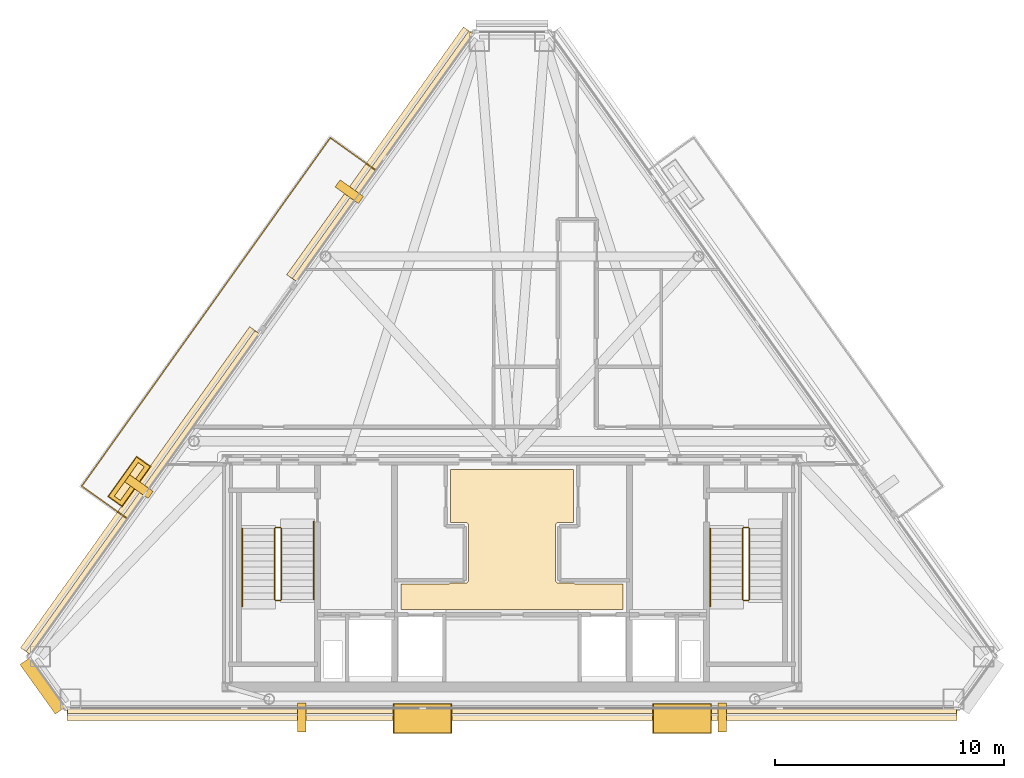
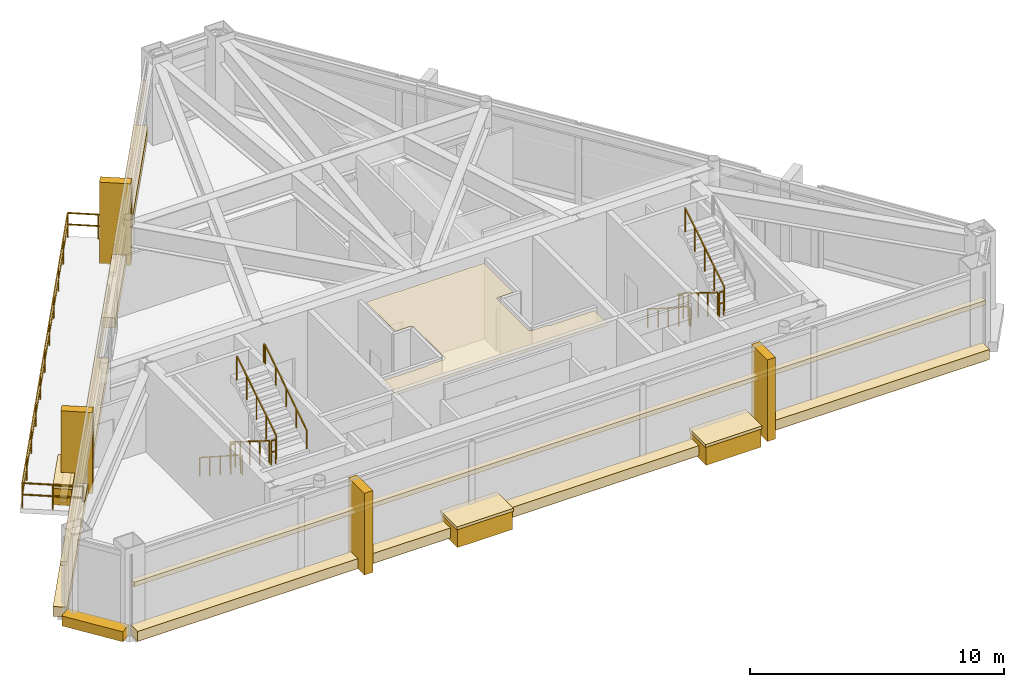
# One storey, part 6 of 7: 19 coverings, 12 railings.
"""IFC4 building model written with IfcOpenShell, lengths in metres."""

from ifc_helpers import new_model, si_unit, direction, frame, origin, origin_2d, place, context, subcontext, project, spatial, polyline, rectangle, outline, extrude, material, layer, layer_set, type_object, element, save


model = new_model("IFC4")

# Units and contexts
model_context = context("Model", 3, precision=1e-05, world=origin(), true_north=direction((0.0, 1.0)))
body_context = subcontext(model_context, "Body", "Model", "MODEL_VIEW")
ifc_project = project(units=[si_unit("LENGTHUNIT", "METRE"), si_unit("AREAUNIT", "SQUARE_METRE"), si_unit("VOLUMEUNIT", "CUBIC_METRE"), si_unit("PLANEANGLEUNIT", "RADIAN"), si_unit("MASSUNIT", "GRAM", prefix="KILO")], contexts=[model_context])

# Site, building, storey
site_placement = place(None, origin())
site = spatial("IfcSite", under=ifc_project, at=site_placement, CompositionType="ELEMENT")
building_placement = place(site_placement, origin())
building = spatial("IfcBuilding", under=site, at=building_placement, Name="Talgorran Terracotta Tower", CompositionType="ELEMENT")
storey_placement = place(building_placement, frame((0.0, 0.0, 293.39990234375)))
storey = spatial("IfcBuildingStorey", under=building, at=storey_placement, Name="L77", CompositionType="ELEMENT", Elevation=293.39990234375)

# Coverings
ifc_material_1 = material(Name="Kiln-Fired Terracotta Ochre Ceramic", Category="masonry")
ifc_layer_1 = layer(ifc_material_1, 0.179931640625, Name="COV_BAGUETTE_TERRACOTTA_SCREEN")
ifc_layer_set_1 = layer_set([ifc_layer_1], Name="Kiln-Fired Terracotta Ochre Ceramic")
covering_type_1 = type_object("IfcCoveringType", Name="COV_BAGUETTE_TERRACOTTA_SCREEN", PredefinedType="CLADDING", material=ifc_layer_set_1)
covering_1_placement = place(storey_placement, frame((0.0, -15.1298828125, 2.41015625), z_axis=(0.0, 0.0, 1.0), x_axis=(1.0, 0.0, 0.0)))
element("IfcCovering", 1, at=covering_1_placement, inside=storey, type_object=covering_type_1, Name="L77 Terracotta Baguette Solar Screen Assembly F1", PredefinedType="CLADDING", context=body_context, shape_type="SweptSolid", body=[
    extrude(rectangle(XDim=38.758056640625, YDim=0.260009765625, at=origin_2d()), origin(), (0.0, 0.0, 1.0), 0.219970703125),
])
covering_2_placement = place(storey_placement, frame((-5.626220703125, 9.029296875, 2.41015625), z_axis=(0.0, 0.0, 1.0), x_axis=(-0.580759790281, -0.814074975658, 0.0)))
element("IfcCovering", 2, at=covering_2_placement, inside=storey, type_object=covering_type_1, Name="L77 Terracotta Baguette Solar Screen Assembly F60", PredefinedType="CLADDING", context=body_context, shape_type="SweptSolid", body=[
    extrude(rectangle(XDim=13.251708984375, YDim=0.260009765625, at=origin_2d()), origin(), (0.0, 0.0, 1.0), 0.219970703125),
])
covering_3_placement = place(storey_placement, frame((-16.087890625, -5.635498046875, 2.41015625), z_axis=(0.0, 0.0, 1.0), x_axis=(-0.580759790281, -0.814074975658, 0.0)))
element("IfcCovering", 3, at=covering_3_placement, inside=storey, type_object=covering_type_1, Name="L77 Terracotta Baguette Solar Screen Assembly F61", PredefinedType="CLADDING", context=body_context, shape_type="SweptSolid", body=[
    extrude(rectangle(XDim=17.17626953125, YDim=0.260009765625, at=origin_2d()), origin(), (0.0, 0.0, 1.0), 0.219970703125),
])
ifc_material_2 = material(Name="Flush Moisture-Resistant Plaster")
ifc_layer_2 = layer(ifc_material_2, 0.01806640625, Name="COV_CEIL_PLASTER")
ifc_layer_set_2 = layer_set([ifc_layer_2], Name="Flush Moisture-Resistant Plaster")
covering_type_2 = type_object("IfcCoveringType", Name="COV_CEIL_PLASTER", PredefinedType="CEILING", material=ifc_layer_set_2)
covering_4_placement = place(storey_placement, frame((0.0, 0.0, 3.7900390625)))
element("IfcCovering", 4, at=covering_4_placement, inside=storey, type_object=covering_type_2, Name="CEIL-L77-1", PredefinedType="CEILING", context=body_context, shape_type="SweptSolid", body=[
    extrude(outline(polyline([(-2.70263671875, -9.570068359375), (-2.02001953125, -9.570068359375), (-2.00830078125, -9.5693359375), (-1.99658203125, -9.567626953125), (-1.985107421875, -9.564697265625), (-1.97412109375, -9.560791015625), (-1.96337890625, -9.555908203125), (-1.953369140625, -9.5498046875), (-1.94384765625, -9.542724609375), (-1.93505859375, -9.534912109375), (-1.92724609375, -9.526123046875), (-1.920166015625, -9.5166015625), (-1.914306640625, -9.506591796875), (-1.9091796875, -9.495849609375), (-1.9052734375, -9.48486328125), (-1.90234375, -9.473388671875), (-1.900634765625, -9.4619140625), (-1.89990234375, -9.449951171875), (-1.89990234375, -7.050048828125), (-1.900634765625, -7.0380859375), (-1.90234375, -7.026611328125), (-1.9052734375, -7.01513671875), (-1.9091796875, -7.004150390625), (-1.914306640625, -6.993408203125), (-1.920166015625, -6.9833984375), (-1.92724609375, -6.973876953125), (-1.93505859375, -6.965087890625), (-1.94384765625, -6.957275390625), (-1.953369140625, -6.9501953125), (-1.96337890625, -6.944091796875), (-1.97412109375, -6.939208984375), (-1.985107421875, -6.935302734375), (-1.99658203125, -6.932373046875), (-2.00830078125, -6.9306640625), (-2.02001953125, -6.929931640625), (-2.679931640625, -6.929931640625), (-2.679931640625, -4.6201171875), (2.679931640625, -4.6201171875), (2.679931640625, -6.929931640625), (2.02001953125, -6.929931640625), (2.00830078125, -6.9306640625), (1.99658203125, -6.932373046875), (1.985107421875, -6.935302734375), (1.97412109375, -6.939208984375), (1.96337890625, -6.944091796875), (1.953369140625, -6.9501953125), (1.94384765625, -6.957275390625), (1.93505859375, -6.965087890625), (1.92724609375, -6.973876953125), (1.920166015625, -6.9833984375), (1.914306640625, -6.993408203125), (1.9091796875, -7.004150390625), (1.9052734375, -7.01513671875), (1.90234375, -7.026611328125), (1.900634765625, -7.0380859375), (1.89990234375, -7.050048828125), (1.89990234375, -9.449951171875), (1.900634765625, -9.4619140625), (1.90234375, -9.473388671875), (1.9052734375, -9.48486328125), (1.9091796875, -9.495849609375), (1.914306640625, -9.506591796875), (1.920166015625, -9.5166015625), (1.92724609375, -9.526123046875), (1.93505859375, -9.534912109375), (1.94384765625, -9.542724609375), (1.953369140625, -9.5498046875), (1.96337890625, -9.555908203125), (1.97412109375, -9.560791015625), (1.985107421875, -9.564697265625), (1.99658203125, -9.567626953125), (2.00830078125, -9.5693359375), (2.02001953125, -9.570068359375), (2.70263671875, -9.570068359375), (2.707275390625, -9.576171875), (2.715087890625, -9.5849609375), (2.723876953125, -9.5927734375), (2.7333984375, -9.599853515625), (2.743408203125, -9.605712890625), (2.754150390625, -9.61083984375), (2.76513671875, -9.61474609375), (2.776611328125, -9.61767578125), (2.7880859375, -9.619384765625), (2.800048828125, -9.6201171875), (4.830078125, -9.6201171875), (4.830078125, -10.72998046875), (-4.830078125, -10.72998046875), (-4.830078125, -9.6201171875), (-2.800048828125, -9.6201171875), (-2.7880859375, -9.619384765625), (-2.776611328125, -9.61767578125), (-2.76513671875, -9.61474609375), (-2.754150390625, -9.61083984375), (-2.743408203125, -9.605712890625), (-2.7333984375, -9.599853515625), (-2.723876953125, -9.5927734375), (-2.715087890625, -9.5849609375), (-2.707275390625, -9.576171875), (-2.70263671875, -9.570068359375)])), origin(), (0.0, 0.0, 1.0), 0.02001953125),
])
ifc_material_3 = material(Name="Honed Limestone and Terracotta Planter", Category="masonry")
ifc_layer_3 = layer(ifc_material_3, 0.1201171875, Name="COV_PLANTER_BOX")
ifc_layer_set_3 = layer_set([ifc_layer_3], Name="Honed Limestone and Terracotta Planter")
covering_type_3 = type_object("IfcCoveringType", Name="COV_PLANTER_BOX", PredefinedType="CLADDING", material=ifc_layer_set_3)
for number, where, z_axis, x_axis, name in (
    (5, (7.4140625, -15.469970703125, -0.179931640625), (0.0, 0.0, 1.0), (1.0, 0.0, 0.0), "L77 Staggered South Facade Planter Box 1"),
    (6, (-3.902099609375, -15.469970703125, -0.179931640625), (0.0, 0.0, 1.0), (1.0, 0.0, 0.0), "L77 Staggered South Facade Planter Box 2"),
):
    element("IfcCovering", number, at=place(storey_placement, frame(where, z_axis=z_axis, x_axis=x_axis)), inside=storey, type_object=covering_type_3, Name=name, PredefinedType="CLADDING", context=body_context, shape_type="SweptSolid", body=[
        extrude(rectangle(XDim=2.5, YDim=1.25, at=origin_2d()), origin(), (0.0, 0.0, 1.0), 0.919921875),
    ])
covering_5_placement = place(storey_placement, frame((-16.681396484375, -5.141845703125, -0.02001953125), z_axis=(0.0, 0.0, 1.0), x_axis=(-0.580759790281, -0.814074975658, 0.0)))
element("IfcCovering", 7, at=covering_5_placement, inside=storey, type_object=covering_type_3, Name="L77 Staggered Balcony Planter Box TERR-NW", PredefinedType="CLADDING", context=body_context, shape_type="SweptSolid", body=[
    extrude(rectangle(XDim=2.10009765625, YDim=0.719970703125, at=origin_2d()), origin(), (0.0, 0.0, 1.0), 0.860107421875),
])
ifc_material_4 = material(Name="Kiln-Fired Terracotta Planter Rim", Category="masonry")
ifc_layer_4 = layer(ifc_material_4, 0.10009765625, Name="COV_PLANTER_RIM")
ifc_layer_set_4 = layer_set([ifc_layer_4], Name="Kiln-Fired Terracotta Planter Rim")
covering_type_4 = type_object("IfcCoveringType", Name="COV_PLANTER_RIM", PredefinedType="CLADDING", material=ifc_layer_set_4)
for number, where, z_axis, x_axis, name in (
    (8, (7.4140625, -15.469970703125, 0.7099609375), (0.0, 0.0, 1.0), (1.0, 0.0, 0.0), "L77 South Planter Terracotta Rim 1"),
    (9, (-3.902099609375, -15.469970703125, 0.7099609375), (0.0, 0.0, 1.0), (1.0, 0.0, 0.0), "L77 South Planter Terracotta Rim 2"),
):
    element("IfcCovering", number, at=place(storey_placement, frame(where, z_axis=z_axis, x_axis=x_axis)), inside=storey, type_object=covering_type_4, Name=name, PredefinedType="CLADDING", context=body_context, shape_type="SweptSolid", body=[
        extrude(rectangle(XDim=2.580078125, YDim=1.320068359375, at=origin_2d()), origin(), (0.0, 0.0, 1.0), 0.139892578125),
    ])
covering_6_placement = place(storey_placement, frame((-16.681396484375, -5.141845703125, 0.800048828125), z_axis=(0.0, 0.0, 1.0), x_axis=(-0.580759790281, -0.814074975658, 0.0)))
element("IfcCovering", 10, at=covering_6_placement, inside=storey, type_object=covering_type_4, Name="L77 Balcony Planter Terracotta Rim TERR-NW", PredefinedType="CLADDING", context=body_context, shape_type="SweptSolid", body=[
    extrude(rectangle(XDim=2.179931640625, YDim=0.780029296875, at=origin_2d()), origin(), (0.0, 0.0, 1.0), 0.1201171875),
])
covering_7_placement = place(storey_placement, frame((-16.681396484375, -5.141845703125, 0.0), z_axis=(0.0, 0.0, 1.0), x_axis=(-0.580759790281, -0.814074975658, 0.0)))
element("IfcCovering", 11, at=covering_7_placement, inside=storey, type_object=covering_type_4, Name="L77 Sky Terrace Planter Curb 2", PredefinedType="CLADDING", context=body_context, shape_type="SweptSolid", body=[
    extrude(rectangle(XDim=1.800048828125, YDim=0.320068359375, at=origin_2d()), origin(), (0.0, 0.0, 1.0), 0.219970703125),
])
ifc_material_5 = material(Name="Honed Limestone Cladding", Category="masonry")
ifc_layer_5 = layer(ifc_material_5, 0.094970703125, Name="COV_PORTAL_LIME")
ifc_layer_set_5 = layer_set([ifc_layer_5], Name="Honed Limestone Cladding")
covering_type_5 = type_object("IfcCoveringType", Name="COV_PORTAL_LIME", PredefinedType="CLADDING", material=ifc_layer_set_5)
for number, where, z_axis, x_axis, name in (
    (12, (-9.170166015625, -15.429931640625, -0.0498046875), (0.0, 0.0, 1.0), (1.0, 0.0, 0.0), "L77 White Striped Portal Fin F1-1"),
    (13, (-7.093017578125, 7.48974609375, -0.0498046875), (0.0, 0.0, 1.0), (-0.580759790281, -0.814074975658, 0.0), "L77 White Striped Portal Fin F5-1"),
):
    element("IfcCovering", number, at=place(storey_placement, frame(where, z_axis=z_axis, x_axis=x_axis)), inside=storey, type_object=covering_type_5, Name=name, PredefinedType="CLADDING", context=body_context, shape_type="SweptSolid", body=[
        extrude(rectangle(XDim=0.3798828125, YDim=1.25, at=origin_2d()), origin(), (0.0, 0.0, 1.0), 3.929931640625),
    ])
ifc_material_6 = material(Name="Kiln-Fired Terracotta Cladding", Category="masonry")
ifc_layer_6 = layer(ifc_material_6, 0.090087890625, Name="COV_PORTAL_TERRA")
ifc_layer_set_6 = layer_set([ifc_layer_6], Name="Kiln-Fired Terracotta Cladding")
covering_type_6 = type_object("IfcCoveringType", Name="COV_PORTAL_TERRA", PredefinedType="CLADDING", material=ifc_layer_set_6)
covering_8_placement = place(storey_placement, frame((-20.448974609375, -14.041748046875, -0.039794921875), z_axis=(0.0, 0.0, 1.0), x_axis=(0.580759790281, -0.814074975658, 0.0)))
element("IfcCovering", 14, at=covering_8_placement, inside=storey, type_object=covering_type_6, Name="L77 Striped Postmodern Portal Cladding Band F0", PredefinedType="CLADDING", context=body_context, shape_type="SweptSolid", body=[
    extrude(rectangle(XDim=2.650390625, YDim=0.56005859375, at=origin_2d()), origin(), (0.0, 0.0, 1.0), 0.47998046875),
])
covering_9_placement = place(storey_placement, frame((0.0, -15.27001953125, -0.039794921875), z_axis=(0.0, 0.0, 1.0), x_axis=(1.0, 0.0, 0.0)))
element("IfcCovering", 15, at=covering_9_placement, inside=storey, type_object=covering_type_6, Name="L77 Striped Postmodern Portal Cladding Band F1", PredefinedType="CLADDING", context=body_context, shape_type="SweptSolid", body=[
    extrude(rectangle(XDim=38.778076171875, YDim=0.56005859375, at=origin_2d()), origin(), (0.0, 0.0, 1.0), 0.47998046875),
])
covering_10_placement = place(storey_placement, frame((-5.739990234375, 9.110595703125, -0.039794921875), z_axis=(0.0, 0.0, 1.0), x_axis=(-0.580759790281, -0.814074975658, 0.0)))
element("IfcCovering", 16, at=covering_10_placement, inside=storey, type_object=covering_type_6, Name="L77 Striped Postmodern Portal Cladding Band F60", PredefinedType="CLADDING", context=body_context, shape_type="SweptSolid", body=[
    extrude(rectangle(XDim=13.271728515625, YDim=0.56005859375, at=origin_2d()), origin(), (0.0, 0.0, 1.0), 0.47998046875),
])
covering_11_placement = place(storey_placement, frame((-16.201904296875, -5.55419921875, -0.039794921875), z_axis=(0.0, 0.0, 1.0), x_axis=(-0.580759790281, -0.814074975658, 0.0)))
element("IfcCovering", 17, at=covering_11_placement, inside=storey, type_object=covering_type_6, Name="L77 Striped Postmodern Portal Cladding Band F61", PredefinedType="CLADDING", context=body_context, shape_type="SweptSolid", body=[
    extrude(rectangle(XDim=17.1962890625, YDim=0.56005859375, at=origin_2d()), origin(), (0.0, 0.0, 1.0), 0.47998046875),
])
for number, where, z_axis, x_axis, name in (
    (18, (9.170166015625, -15.429931640625, -0.0498046875), (0.0, 0.0, 1.0), (1.0, 0.0, 0.0), "L77 Terracotta Striped Portal Fin F1-2"),
    (19, (-16.262939453125, -5.364501953125, -0.0498046875), (0.0, 0.0, 1.0), (-0.580759790281, -0.814074975658, 0.0), "L77 Terracotta Striped Portal Fin F5-2"),
):
    element("IfcCovering", number, at=place(storey_placement, frame(where, z_axis=z_axis, x_axis=x_axis)), inside=storey, type_object=covering_type_6, Name=name, PredefinedType="CLADDING", context=body_context, shape_type="SweptSolid", body=[
        extrude(rectangle(XDim=0.3798828125, YDim=1.25, at=origin_2d()), origin(), (0.0, 0.0, 1.0), 3.929931640625),
    ])

# Railings
ifc_material_7 = material(Name="Steel S355 (300PLUS)", Category="steel")
railing_type_1 = type_object("IfcRailingType", Name="RL_HANDRAIL_920", PredefinedType="HANDRAIL", material=ifc_material_7)
railing_1_placement = place(storey_placement, frame((-11.75, -7.199951171875, 0.175048828125)))
element("IfcRailing", 20, at=railing_1_placement, inside=storey, type_object=railing_type_1, Name="L77 ST-01 stair handrail 1", PredefinedType="HANDRAIL", context=body_context, shape_type="SweptSolid", body=[
    extrude(rectangle(XDim=0.048095703125, YDim=0.048095703125, at=origin_2d()), frame((0.0, 0.0, 0.89599609375), z_axis=(0.0, -0.84066466721, 0.541556014928), x_axis=(1.0, 0.0, 0.0)), (0.0, 0.0, 1.0), 3.8779296875),
    extrude(rectangle(XDim=0.048095703125, YDim=0.048095703125, at=origin_2d()), frame((0.0, -3.260009765625, 2.99609375), z_axis=(0.0, -1.0, 0.0), x_axis=(1.0, 0.0, 0.0)), (0.0, 0.0, 1.0), 0.1201171875),
    extrude(rectangle(XDim=0.0419921875, YDim=0.0419921875, at=origin_2d()), origin(), (0.0, 0.0, 1.0), 0.871826171875),
    extrude(rectangle(XDim=0.0419921875, YDim=0.0419921875, at=origin_2d()), frame((0.0, -0.81494140625, 0.52490234375)), (0.0, 0.0, 1.0), 0.871826171875),
    extrude(rectangle(XDim=0.0419921875, YDim=0.0419921875, at=origin_2d()), frame((0.0, -1.6298828125, 1.050048828125)), (0.0, 0.0, 1.0), 0.871826171875),
    extrude(rectangle(XDim=0.0419921875, YDim=0.0419921875, at=origin_2d()), frame((0.0, -2.445068359375, 1.5751953125)), (0.0, 0.0, 1.0), 0.871826171875),
    extrude(rectangle(XDim=0.0419921875, YDim=0.0419921875, at=origin_2d()), frame((0.0, -3.260009765625, 2.10009765625)), (0.0, 0.0, 1.0), 0.871826171875),
    extrude(rectangle(XDim=0.0419921875, YDim=0.0419921875, at=origin_2d()), frame((0.0, -3.380126953125, 2.10009765625)), (0.0, 0.0, 1.0), 0.871826171875),
])
railing_2_placement = place(storey_placement, frame((-8.64990234375, -10.280029296875, 2.275146484375)))
element("IfcRailing", 21, at=railing_2_placement, inside=storey, type_object=railing_type_1, Name="L77 ST-01 stair handrail 2", PredefinedType="HANDRAIL", context=body_context, shape_type="SweptSolid", body=[
    extrude(rectangle(XDim=0.048095703125, YDim=0.048095703125, at=origin_2d()), frame((0.0, 0.0, 0.89599609375), z_axis=(0.0, 0.840693329249, 0.541511519874), x_axis=(-1.0, 0.0, 0.0)), (0.0, 0.0, 1.0), 3.877685546875),
    extrude(rectangle(XDim=0.048095703125, YDim=0.048095703125, at=origin_2d()), frame((0.0, 3.260009765625, 2.99560546875), z_axis=(0.0, 1.0, 0.0), x_axis=(-1.0, 0.0, 0.0)), (0.0, 0.0, 1.0), 0.1201171875),
    extrude(rectangle(XDim=0.0419921875, YDim=0.0419921875, at=origin_2d()), origin(), (0.0, 0.0, 1.0), 0.871826171875),
    extrude(rectangle(XDim=0.0419921875, YDim=0.0419921875, at=origin_2d()), frame((0.0, 0.81494140625, 0.52490234375)), (0.0, 0.0, 1.0), 0.871826171875),
    extrude(rectangle(XDim=0.0419921875, YDim=0.0419921875, at=origin_2d()), frame((0.0, 1.6298828125, 1.0498046875)), (0.0, 0.0, 1.0), 0.871826171875),
    extrude(rectangle(XDim=0.0419921875, YDim=0.0419921875, at=origin_2d()), frame((0.0, 2.445068359375, 1.574951171875)), (0.0, 0.0, 1.0), 0.871826171875),
    extrude(rectangle(XDim=0.0419921875, YDim=0.0419921875, at=origin_2d()), frame((0.0, 3.260009765625, 2.099853515625)), (0.0, 0.0, 1.0), 0.871826171875),
    extrude(rectangle(XDim=0.0419921875, YDim=0.0419921875, at=origin_2d()), frame((0.0, 3.380126953125, 2.099853515625)), (0.0, 0.0, 1.0), 0.871826171875),
])
railing_3_placement = place(storey_placement, frame((8.64990234375, -7.199951171875, 0.175048828125)))
element("IfcRailing", 22, at=railing_3_placement, inside=storey, type_object=railing_type_1, Name="L77 ST-02 stair handrail 1", PredefinedType="HANDRAIL", context=body_context, shape_type="SweptSolid", body=[
    extrude(rectangle(XDim=0.048095703125, YDim=0.048095703125, at=origin_2d()), frame((0.0, 0.0, 0.89599609375), z_axis=(0.0, -0.84066466721, 0.541556014928), x_axis=(1.0, 0.0, 0.0)), (0.0, 0.0, 1.0), 3.8779296875),
    extrude(rectangle(XDim=0.048095703125, YDim=0.048095703125, at=origin_2d()), frame((0.0, -3.260009765625, 2.99609375), z_axis=(0.0, -1.0, 0.0), x_axis=(1.0, 0.0, 0.0)), (0.0, 0.0, 1.0), 0.1201171875),
    extrude(rectangle(XDim=0.0419921875, YDim=0.0419921875, at=origin_2d()), origin(), (0.0, 0.0, 1.0), 0.871826171875),
    extrude(rectangle(XDim=0.0419921875, YDim=0.0419921875, at=origin_2d()), frame((0.0, -0.81494140625, 0.52490234375)), (0.0, 0.0, 1.0), 0.871826171875),
    extrude(rectangle(XDim=0.0419921875, YDim=0.0419921875, at=origin_2d()), frame((0.0, -1.6298828125, 1.050048828125)), (0.0, 0.0, 1.0), 0.871826171875),
    extrude(rectangle(XDim=0.0419921875, YDim=0.0419921875, at=origin_2d()), frame((0.0, -2.445068359375, 1.5751953125)), (0.0, 0.0, 1.0), 0.871826171875),
    extrude(rectangle(XDim=0.0419921875, YDim=0.0419921875, at=origin_2d()), frame((0.0, -3.260009765625, 2.10009765625)), (0.0, 0.0, 1.0), 0.871826171875),
    extrude(rectangle(XDim=0.0419921875, YDim=0.0419921875, at=origin_2d()), frame((0.0, -3.380126953125, 2.10009765625)), (0.0, 0.0, 1.0), 0.871826171875),
])
railing_type_2 = type_object("IfcRailingType", Name="RL_STAIR_GUARD", PredefinedType="GUARDRAIL", material=ifc_material_7)
railing_4_placement = place(storey_placement, frame((-10.35009765625, -7.199951171875, 0.175048828125)))
element("IfcRailing", 23, at=railing_4_placement, inside=storey, type_object=railing_type_2, Name="L77 ST-01 stair guard 1", PredefinedType="GUARDRAIL", context=body_context, shape_type="SweptSolid", body=[
    extrude(rectangle(XDim=0.048095703125, YDim=0.048095703125, at=origin_2d()), frame((0.0, 0.0, 1.15576171875), z_axis=(0.0, -0.847998304005, 0.529998940003), x_axis=(1.0, 0.0, 0.0)), (0.0, 0.0, 1.0), 3.632080078125),
    extrude(rectangle(XDim=0.0419921875, YDim=0.0419921875, at=origin_2d()), origin(), (0.0, 0.0, 1.0), 1.1318359375),
    extrude(rectangle(XDim=0.0419921875, YDim=0.0419921875, at=origin_2d()), frame((0.0, -0.77001953125, 0.481201171875)), (0.0, 0.0, 1.0), 1.1318359375),
    extrude(rectangle(XDim=0.0419921875, YDim=0.0419921875, at=origin_2d()), frame((0.0, -1.5400390625, 0.96240234375)), (0.0, 0.0, 1.0), 1.1318359375),
    extrude(rectangle(XDim=0.0419921875, YDim=0.0419921875, at=origin_2d()), frame((0.0, -2.31005859375, 1.44384765625)), (0.0, 0.0, 1.0), 1.1318359375),
    extrude(rectangle(XDim=0.0419921875, YDim=0.0419921875, at=origin_2d()), frame((0.0, -3.080078125, 1.925048828125)), (0.0, 0.0, 1.0), 1.1318359375),
])
railing_5_placement = place(storey_placement, frame((-10.300048828125, -10.330078125, 2.10009765625)))
element("IfcRailing", 24, at=railing_5_placement, inside=storey, type_object=railing_type_2, Name="L77 ST-01 stair guard 2", PredefinedType="GUARDRAIL", context=body_context, shape_type="SweptSolid", body=[
    extrude(rectangle(XDim=0.048095703125, YDim=0.048095703125, at=origin_2d()), frame((0.0, 0.0, 1.15576171875), z_axis=(1.0, 0.0, 0.0), x_axis=(0.0, 1.0, 0.0)), (0.0, 0.0, 1.0), 0.199951171875),
    extrude(rectangle(XDim=0.048095703125, YDim=0.048095703125, at=origin_2d()), frame((0.0, 0.0, 0.613525390625), z_axis=(1.0, 0.0, 0.0), x_axis=(0.0, 1.0, 0.0)), (0.0, 0.0, 1.0), 0.199951171875),
    extrude(rectangle(XDim=0.0419921875, YDim=0.0419921875, at=origin_2d()), origin(), (0.0, 0.0, 1.0), 1.1318359375),
    extrude(rectangle(XDim=0.0419921875, YDim=0.0419921875, at=origin_2d()), frame((0.199951171875, 0.0, 0.0)), (0.0, 0.0, 1.0), 1.1318359375),
])
railing_6_placement = place(storey_placement, frame((-10.050048828125, -10.280029296875, 2.275146484375)))
element("IfcRailing", 25, at=railing_6_placement, inside=storey, type_object=railing_type_2, Name="L77 ST-01 stair guard 3", PredefinedType="GUARDRAIL", context=body_context, shape_type="SweptSolid", body=[
    extrude(rectangle(XDim=0.048095703125, YDim=0.048095703125, at=origin_2d()), frame((0.0, 0.0, 1.15576171875), z_axis=(0.0, 0.847998304005, 0.529998940003), x_axis=(-1.0, 0.0, 0.0)), (0.0, 0.0, 1.0), 3.632080078125),
    extrude(rectangle(XDim=0.0419921875, YDim=0.0419921875, at=origin_2d()), origin(), (0.0, 0.0, 1.0), 1.1318359375),
    extrude(rectangle(XDim=0.0419921875, YDim=0.0419921875, at=origin_2d()), frame((0.0, 0.77001953125, 0.481201171875)), (0.0, 0.0, 1.0), 1.1318359375),
    extrude(rectangle(XDim=0.0419921875, YDim=0.0419921875, at=origin_2d()), frame((0.0, 1.5400390625, 0.96240234375)), (0.0, 0.0, 1.0), 1.1318359375),
    extrude(rectangle(XDim=0.0419921875, YDim=0.0419921875, at=origin_2d()), frame((0.0, 2.31005859375, 1.44384765625)), (0.0, 0.0, 1.0), 1.1318359375),
    extrude(rectangle(XDim=0.0419921875, YDim=0.0419921875, at=origin_2d()), frame((0.0, 3.080078125, 1.925048828125)), (0.0, 0.0, 1.0), 1.1318359375),
])
railing_7_placement = place(storey_placement, frame((-10.300048828125, -7.14990234375, 0.0)))
element("IfcRailing", 26, at=railing_7_placement, inside=storey, type_object=railing_type_2, Name="L77 ST-01 stair guard 4", PredefinedType="GUARDRAIL", context=body_context, shape_type="SweptSolid", body=[
    extrude(rectangle(XDim=0.048095703125, YDim=0.048095703125, at=origin_2d()), frame((0.0, 0.0, 1.15576171875), z_axis=(1.0, 0.0, 0.0), x_axis=(0.0, 1.0, 0.0)), (0.0, 0.0, 1.0), 0.199951171875),
    extrude(rectangle(XDim=0.048095703125, YDim=0.048095703125, at=origin_2d()), frame((0.0, 0.0, 0.613525390625), z_axis=(1.0, 0.0, 0.0), x_axis=(0.0, 1.0, 0.0)), (0.0, 0.0, 1.0), 0.199951171875),
    extrude(rectangle(XDim=0.0419921875, YDim=0.0419921875, at=origin_2d()), origin(), (0.0, 0.0, 1.0), 1.1318359375),
    extrude(rectangle(XDim=0.0419921875, YDim=0.0419921875, at=origin_2d()), frame((0.199951171875, 0.0, 0.0)), (0.0, 0.0, 1.0), 1.1318359375),
])
railing_8_placement = place(storey_placement, frame((10.050048828125, -7.199951171875, 0.175048828125)))
element("IfcRailing", 27, at=railing_8_placement, inside=storey, type_object=railing_type_2, Name="L77 ST-02 stair guard 1", PredefinedType="GUARDRAIL", context=body_context, shape_type="SweptSolid", body=[
    extrude(rectangle(XDim=0.048095703125, YDim=0.048095703125, at=origin_2d()), frame((0.0, 0.0, 1.15576171875), z_axis=(0.0, -0.847998304005, 0.529998940003), x_axis=(1.0, 0.0, 0.0)), (0.0, 0.0, 1.0), 3.632080078125),
    extrude(rectangle(XDim=0.0419921875, YDim=0.0419921875, at=origin_2d()), origin(), (0.0, 0.0, 1.0), 1.1318359375),
    extrude(rectangle(XDim=0.0419921875, YDim=0.0419921875, at=origin_2d()), frame((0.0, -0.77001953125, 0.481201171875)), (0.0, 0.0, 1.0), 1.1318359375),
    extrude(rectangle(XDim=0.0419921875, YDim=0.0419921875, at=origin_2d()), frame((0.0, -1.5400390625, 0.96240234375)), (0.0, 0.0, 1.0), 1.1318359375),
    extrude(rectangle(XDim=0.0419921875, YDim=0.0419921875, at=origin_2d()), frame((0.0, -2.31005859375, 1.44384765625)), (0.0, 0.0, 1.0), 1.1318359375),
    extrude(rectangle(XDim=0.0419921875, YDim=0.0419921875, at=origin_2d()), frame((0.0, -3.080078125, 1.925048828125)), (0.0, 0.0, 1.0), 1.1318359375),
])
railing_9_placement = place(storey_placement, frame((10.10009765625, -10.330078125, 2.10009765625)))
element("IfcRailing", 28, at=railing_9_placement, inside=storey, type_object=railing_type_2, Name="L77 ST-02 stair guard 2", PredefinedType="GUARDRAIL", context=body_context, shape_type="SweptSolid", body=[
    extrude(rectangle(XDim=0.048095703125, YDim=0.048095703125, at=origin_2d()), frame((0.0, 0.0, 1.15576171875), z_axis=(1.0, 0.0, 0.0), x_axis=(0.0, 1.0, 0.0)), (0.0, 0.0, 1.0), 0.199951171875),
    extrude(rectangle(XDim=0.048095703125, YDim=0.048095703125, at=origin_2d()), frame((0.0, 0.0, 0.613525390625), z_axis=(1.0, 0.0, 0.0), x_axis=(0.0, 1.0, 0.0)), (0.0, 0.0, 1.0), 0.199951171875),
    extrude(rectangle(XDim=0.0419921875, YDim=0.0419921875, at=origin_2d()), origin(), (0.0, 0.0, 1.0), 1.1318359375),
    extrude(rectangle(XDim=0.0419921875, YDim=0.0419921875, at=origin_2d()), frame((0.199951171875, 0.0, 0.0)), (0.0, 0.0, 1.0), 1.1318359375),
])
railing_10_placement = place(storey_placement, frame((10.35009765625, -10.280029296875, 2.275146484375)))
element("IfcRailing", 29, at=railing_10_placement, inside=storey, type_object=railing_type_2, Name="L77 ST-02 stair guard 3", PredefinedType="GUARDRAIL", context=body_context, shape_type="SweptSolid", body=[
    extrude(rectangle(XDim=0.048095703125, YDim=0.048095703125, at=origin_2d()), frame((0.0, 0.0, 1.15576171875), z_axis=(0.0, 0.847998304005, 0.529998940003), x_axis=(-1.0, 0.0, 0.0)), (0.0, 0.0, 1.0), 3.632080078125),
    extrude(rectangle(XDim=0.0419921875, YDim=0.0419921875, at=origin_2d()), origin(), (0.0, 0.0, 1.0), 1.1318359375),
    extrude(rectangle(XDim=0.0419921875, YDim=0.0419921875, at=origin_2d()), frame((0.0, 0.77001953125, 0.481201171875)), (0.0, 0.0, 1.0), 1.1318359375),
    extrude(rectangle(XDim=0.0419921875, YDim=0.0419921875, at=origin_2d()), frame((0.0, 1.5400390625, 0.96240234375)), (0.0, 0.0, 1.0), 1.1318359375),
    extrude(rectangle(XDim=0.0419921875, YDim=0.0419921875, at=origin_2d()), frame((0.0, 2.31005859375, 1.44384765625)), (0.0, 0.0, 1.0), 1.1318359375),
    extrude(rectangle(XDim=0.0419921875, YDim=0.0419921875, at=origin_2d()), frame((0.0, 3.080078125, 1.925048828125)), (0.0, 0.0, 1.0), 1.1318359375),
])
railing_11_placement = place(storey_placement, frame((10.10009765625, -7.14990234375, 0.0)))
element("IfcRailing", 30, at=railing_11_placement, inside=storey, type_object=railing_type_2, Name="L77 ST-02 stair guard 4", PredefinedType="GUARDRAIL", context=body_context, shape_type="SweptSolid", body=[
    extrude(rectangle(XDim=0.048095703125, YDim=0.048095703125, at=origin_2d()), frame((0.0, 0.0, 1.15576171875), z_axis=(1.0, 0.0, 0.0), x_axis=(0.0, 1.0, 0.0)), (0.0, 0.0, 1.0), 0.199951171875),
    extrude(rectangle(XDim=0.048095703125, YDim=0.048095703125, at=origin_2d()), frame((0.0, 0.0, 0.613525390625), z_axis=(1.0, 0.0, 0.0), x_axis=(0.0, 1.0, 0.0)), (0.0, 0.0, 1.0), 0.199951171875),
    extrude(rectangle(XDim=0.0419921875, YDim=0.0419921875, at=origin_2d()), origin(), (0.0, 0.0, 1.0), 1.1318359375),
    extrude(rectangle(XDim=0.0419921875, YDim=0.0419921875, at=origin_2d()), frame((0.199951171875, 0.0, 0.0)), (0.0, 0.0, 1.0), 1.1318359375),
])
ifc_material_8 = material(Name="Laminated Glass and Stainless Steel 316", Category="steel")
railing_type_3 = type_object("IfcRailingType", Name="RL_TERRACE_1200", PredefinedType="GUARDRAIL", material=ifc_material_8)
railing_12_placement = place(storey_placement, frame((-5.951904296875, 8.4345703125, 0.0)))
element("IfcRailing", 31, at=railing_12_placement, inside=storey, type_object=railing_type_3, Name="RL-L77-BAL-TERR-NW", PredefinedType="GUARDRAIL", context=body_context, shape_type="SweptSolid", body=[
    extrude(rectangle(XDim=0.048095703125, YDim=0.048095703125, at=origin_2d()), frame((0.0, 0.0, 1.17578125), z_axis=(-0.814080943885, 0.580751424281, 0.0), x_axis=(-0.580751424281, -0.814080943885, 0.0)), (0.0, 0.0, 1.0), 2.420166015625),
    extrude(rectangle(XDim=0.048095703125, YDim=0.048095703125, at=origin_2d()), frame((0.0, 0.0, 0.6240234375), z_axis=(-0.814080943885, 0.580751424281, 0.0), x_axis=(-0.580751424281, -0.814080943885, 0.0)), (0.0, 0.0, 1.0), 2.420166015625),
    extrude(rectangle(XDim=0.048095703125, YDim=0.048095703125, at=origin_2d()), frame((-1.97021484375, 1.405517578125, 1.17578125), z_axis=(-0.580754000675, -0.814079105923, 0.0), x_axis=(0.814079105923, -0.580754000675, 0.0)), (0.0, 0.0, 1.0), 18.6533203125),
    extrude(rectangle(XDim=0.048095703125, YDim=0.048095703125, at=origin_2d()), frame((-1.97021484375, 1.405517578125, 0.6240234375), z_axis=(-0.580754000675, -0.814079105923, 0.0), x_axis=(0.814079105923, -0.580754000675, 0.0)), (0.0, 0.0, 1.0), 18.6533203125),
    extrude(rectangle(XDim=0.048095703125, YDim=0.048095703125, at=origin_2d()), frame((-12.80322265625, -13.77978515625, 1.17578125), z_axis=(0.814046916535, -0.580799119902, 0.0), x_axis=(0.580799119902, 0.814046916535, 0.0)), (0.0, 0.0, 1.0), 2.419921875),
    extrude(rectangle(XDim=0.048095703125, YDim=0.048095703125, at=origin_2d()), frame((-12.80322265625, -13.77978515625, 0.6240234375), z_axis=(0.814046916535, -0.580799119902, 0.0), x_axis=(0.580799119902, 0.814046916535, 0.0)), (0.0, 0.0, 1.0), 2.419921875),
    extrude(rectangle(XDim=0.0419921875, YDim=0.0419921875, at=origin_2d()), origin(), (0.0, 0.0, 1.0), 1.15185546875),
    extrude(rectangle(XDim=0.0419921875, YDim=0.0419921875, at=origin_2d()), frame((-0.985107421875, 0.70263671875, 0.0)), (0.0, 0.0, 1.0), 1.15185546875),
    extrude(rectangle(XDim=0.0419921875, YDim=0.0419921875, at=origin_2d()), frame((-1.97021484375, 1.405517578125, 0.0)), (0.0, 0.0, 1.0), 1.15185546875),
    extrude(rectangle(XDim=0.0419921875, YDim=0.0419921875, at=origin_2d()), frame((-3.053466796875, -0.113037109375, 0.0)), (0.0, 0.0, 1.0), 1.15185546875),
    extrude(rectangle(XDim=0.0419921875, YDim=0.0419921875, at=origin_2d()), frame((-4.13671875, -1.631591796875, 0.0)), (0.0, 0.0, 1.0), 1.15185546875),
    extrude(rectangle(XDim=0.0419921875, YDim=0.0419921875, at=origin_2d()), frame((-5.22021484375, -3.150146484375, 0.0)), (0.0, 0.0, 1.0), 1.15185546875),
    extrude(rectangle(XDim=0.0419921875, YDim=0.0419921875, at=origin_2d()), frame((-6.303466796875, -4.668701171875, 0.0)), (0.0, 0.0, 1.0), 1.15185546875),
    extrude(rectangle(XDim=0.0419921875, YDim=0.0419921875, at=origin_2d()), frame((-7.38671875, -6.18701171875, 0.0)), (0.0, 0.0, 1.0), 1.15185546875),
    extrude(rectangle(XDim=0.0419921875, YDim=0.0419921875, at=origin_2d()), frame((-8.469970703125, -7.70556640625, 0.0)), (0.0, 0.0, 1.0), 1.15185546875),
    extrude(rectangle(XDim=0.0419921875, YDim=0.0419921875, at=origin_2d()), frame((-9.55322265625, -9.22412109375, 0.0)), (0.0, 0.0, 1.0), 1.15185546875),
    extrude(rectangle(XDim=0.0419921875, YDim=0.0419921875, at=origin_2d()), frame((-10.63671875, -10.74267578125, 0.0)), (0.0, 0.0, 1.0), 1.15185546875),
    extrude(rectangle(XDim=0.0419921875, YDim=0.0419921875, at=origin_2d()), frame((-11.719970703125, -12.26123046875, 0.0)), (0.0, 0.0, 1.0), 1.15185546875),
    extrude(rectangle(XDim=0.0419921875, YDim=0.0419921875, at=origin_2d()), frame((-12.80322265625, -13.77978515625, 0.0)), (0.0, 0.0, 1.0), 1.15185546875),
    extrude(rectangle(XDim=0.0419921875, YDim=0.0419921875, at=origin_2d()), frame((-11.818359375, -14.482421875, 0.0)), (0.0, 0.0, 1.0), 1.15185546875),
    extrude(rectangle(XDim=0.0419921875, YDim=0.0419921875, at=origin_2d()), frame((-10.833251953125, -15.185302734375, 0.0)), (0.0, 0.0, 1.0), 1.15185546875),
])

save(model, "model.ifc")
